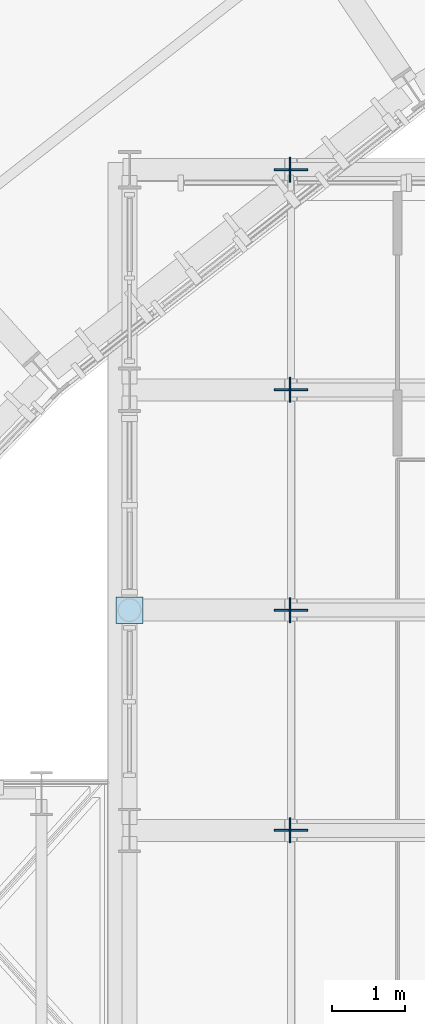
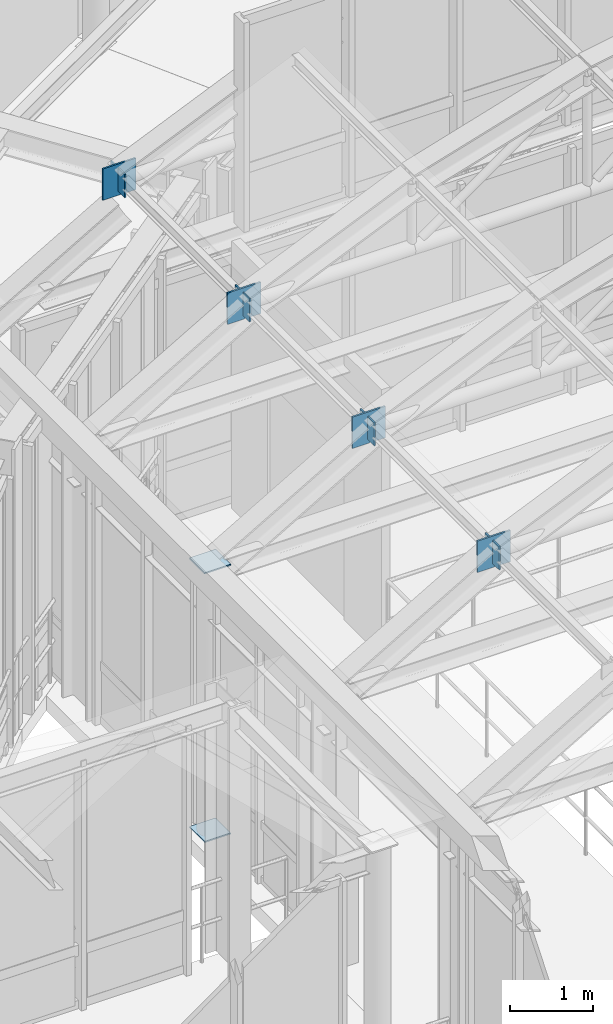
# One storey, part 112 of 148: 10 plates.
"""IFC4 building model written with IfcOpenShell, lengths in metres."""

from ifc_helpers import new_model, si_unit, direction, frame, origin, origin_2d, place, context, subcontext, project, spatial, rectangle, extrude, material, layer, layer_set, type_object, element, save


model = new_model("IFC4")

# Units and contexts
model_context = context("Model", 3, precision=1e-05, world=origin(), true_north=direction((0.0, 1.0)))
body_context = subcontext(model_context, "Body", "Model", "MODEL_VIEW")
ifc_project = project(units=[si_unit("LENGTHUNIT", "METRE"), si_unit("AREAUNIT", "SQUARE_METRE"), si_unit("VOLUMEUNIT", "CUBIC_METRE"), si_unit("PLANEANGLEUNIT", "RADIAN"), si_unit("MASSUNIT", "GRAM", prefix="KILO"), si_unit("THERMODYNAMICTEMPERATUREUNIT", "KELVIN"), si_unit("POWERUNIT", "WATT")], contexts=[model_context])

# Site, building, storey
site_placement = place(None, origin())
site = spatial("IfcSite", under=ifc_project, at=site_placement, CompositionType="ELEMENT")
building_placement = place(site_placement, origin())
building = spatial("IfcBuilding", under=site, at=building_placement, Name="Solvatero Civic Police Headquarters", CompositionType="ELEMENT")
storey_placement = place(building_placement, frame((0.0, 0.0, 5.10009765625)))
storey = spatial("IfcBuildingStorey", under=building, at=storey_placement, Name="L01", CompositionType="ELEMENT", Elevation=5.10009765625)

# Plates
ifc_material = material(Name="Steel S355", Category="steel")
ifc_layer_1 = layer(ifc_material, 0.02001953125)
ifc_layer_set_1 = layer_set([ifc_layer_1], Name="Steel S355")
plate_type_1 = type_object("IfcPlateType", Name="PLT-CAP-20", PredefinedType="SHEET", material=ifc_layer_set_1)
for number, where, z_axis, x_axis, name in (
    (1, (64.800048828125, 56.5, 3.919921875), (0.0, 0.0, 1.0), (1.0, 0.0, 0.0), "Hollow Section End Cap Plate 0069"),
    (2, (64.800048828125, 56.5, -0.02001953125), (0.0, 0.0, 1.0), (1.0, 0.0, 0.0), "Hollow Section End Cap Plate 0070"),
):
    element("IfcPlate", number, at=place(storey_placement, frame(where, z_axis=z_axis, x_axis=x_axis)), inside=storey, type_object=plate_type_1, Name=name, PredefinedType="SHEET", context=body_context, shape_type="SweptSolid", body=[
        extrude(rectangle(XDim=0.364013671875, YDim=0.364013671875, at=origin_2d()), origin(), (0.0, 0.0, 1.0), 0.02001953125),
    ])
for number, where, z_axis, x_axis, name in (
    (3, (66.988525390625, 53.5, 4.96630859375), (0.0, 0.0, 1.0), (1.0, 0.0, 0.0), "Hollow Section End Cap Plate 0175"),
    (4, (66.988525390625, 56.5, 4.96630859375), (0.0, 0.0, 1.0), (1.0, 0.0, 0.0), "Hollow Section End Cap Plate 0177"),
    (5, (66.988525390625, 59.5, 4.96630859375), (0.0, 0.0, 1.0), (1.0, 0.0, 0.0), "Hollow Section End Cap Plate 0179"),
    (6, (66.988525390625, 62.5, 4.96630859375), (0.0, 0.0, 1.0), (1.0, 0.0, 0.0), "Hollow Section End Cap Plate 0181"),
):
    element("IfcPlate", number, at=place(storey_placement, frame(where, z_axis=z_axis, x_axis=x_axis)), inside=storey, type_object=plate_type_1, Name=name, PredefinedType="SHEET", context=body_context, shape_type="SweptSolid", body=[
        extrude(rectangle(XDim=0.02001953125, YDim=0.340087890625, at=origin_2d()), origin(), (0.0, 0.0, 1.0), 0.340087890625),
    ])
ifc_layer_2 = layer(ifc_material, 0.02490234375)
ifc_layer_set_2 = layer_set([ifc_layer_2], Name="Steel S355")
plate_type_2 = type_object("IfcPlateType", Name="PLT-GUS-20", PredefinedType="SHEET", material=ifc_layer_set_2)
for number, where, z_axis, x_axis, name in (
    (7, (66.99853515625, 53.5, 4.90625), (0.0, 0.0, 1.0), (1.0, 0.0, 0.0), "VLT2 Haunch Gusset W F5"),
    (8, (66.99853515625, 56.5, 4.90625), (0.0, 0.0, 1.0), (1.0, 0.0, 0.0), "VLT2 Haunch Gusset W F6"),
    (9, (66.99853515625, 59.5, 4.90625), (0.0, 0.0, 1.0), (1.0, 0.0, 0.0), "VLT2 Haunch Gusset W F7"),
    (10, (66.99853515625, 62.5, 4.90625), (0.0, 0.0, 1.0), (1.0, 0.0, 0.0), "VLT2 Haunch Gusset W F8"),
):
    element("IfcPlate", number, at=place(storey_placement, frame(where, z_axis=z_axis, x_axis=x_axis)), inside=storey, type_object=plate_type_2, Name=name, PredefinedType="SHEET", context=body_context, shape_type="SweptSolid", body=[
        extrude(rectangle(XDim=0.4599609375, YDim=0.02490234375, at=origin_2d()), origin(), (0.0, 0.0, 1.0), 0.4599609375),
    ])

save(model, "model.ifc")
